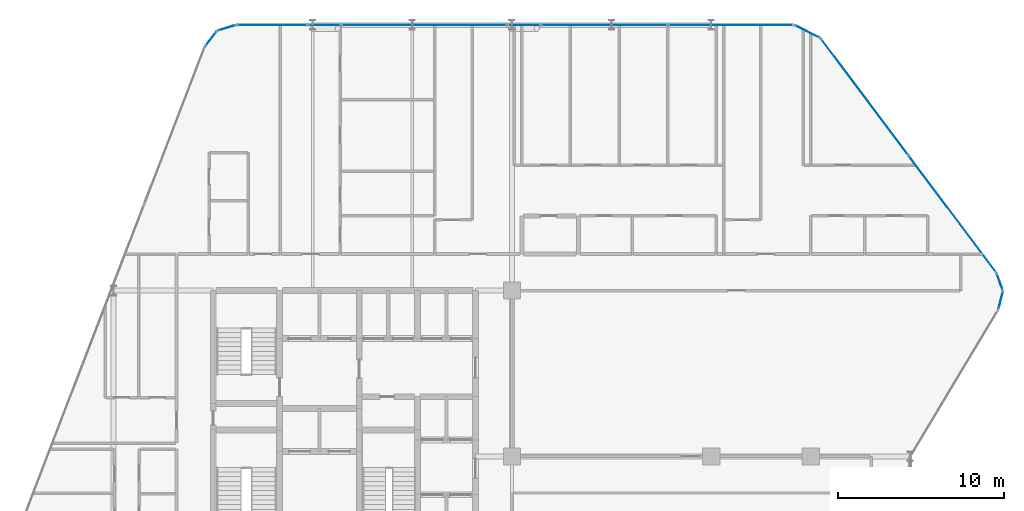
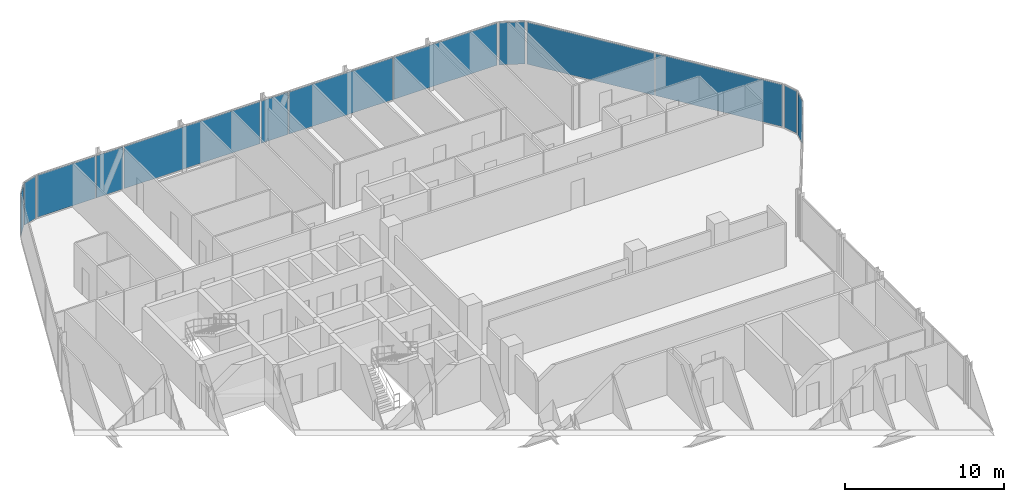
# One storey, part 22 of 30: 13 plates, 11 elements without a shape of their own.
"""IFC4 building model written with IfcOpenShell, lengths in metres."""

import ifcopenshell
import ifcopenshell.guid

model = None  # the IFC model being written
_history = None  # IfcOwnerHistory: only IFC2X3 demands one
_inside = {}  # id of a spatial element -> (the spatial element, [elements in it])
_under = {}  # id of a project, library or spatial element -> (it, [spatial elements below it])
_declared = {}  # id of a project -> (the project, [libraries it declares])
_typed = {}  # id of a type object -> (the type object, [elements of that type])
_made_of = {}  # id of a material, layer set ... -> (it, [elements and type objects made of it])


def new_model(schema):
    """Start an empty IFC model of exactly this schema.

    Asked for "IFC4X3", IfcOpenShell would pick the latest addendum, in which some entities
    have other attributes; the version numbers below select the first issue.
    IFC2X3 requires an IfcOwnerHistory on every rooted entity: one is made here for all.
    """
    global model, _history
    if schema == "IFC4X3":
        model = ifcopenshell.file(schema_version=(4, 3, 0, 0))
    else:
        model = ifcopenshell.file(schema=schema)
    _inside.clear()
    _under.clear()
    _declared.clear()
    _typed.clear()
    _made_of.clear()
    _history = None
    if model.schema == "IFC2X3":
        org = make("IfcOrganization", Name="unknown")
        user = make(
            "IfcPersonAndOrganization",
            ThePerson=make("IfcPerson", FamilyName="unknown"),
            TheOrganization=org,
        )
        app = make(
            "IfcApplication",
            ApplicationDeveloper=org,
            Version="unknown",
            ApplicationFullName="unknown",
            ApplicationIdentifier="unknown",
        )
        _history = make(
            "IfcOwnerHistory",
            OwningUser=user,
            OwningApplication=app,
            ChangeAction="ADDED",
            CreationDate=0,
        )
    return model


def make(cls, **values):
    """One entity of the class cls with the attributes given. An attribute that is None is left unset."""
    return model.create_entity(
        cls, **{name: value for name, value in values.items() if value is not None}
    )


def rooted(cls, **values):
    """An entity with a GlobalId (a new one), such as an element, a storey or a relation."""
    return make(cls, GlobalId=ifcopenshell.guid.new(), OwnerHistory=_history, **values)


def si_unit(unit_type, name, prefix=None):
    """IfcSIUnit, for example si_unit("LENGTHUNIT", "METRE", prefix="MILLI")."""
    return make("IfcSIUnit", UnitType=unit_type, Prefix=prefix, Name=name)


def assignment(units):
    """IfcUnitAssignment: the units of a project."""
    return None if units is None else make("IfcUnitAssignment", Units=units)


def point(xyz):
    """IfcCartesianPoint."""
    return None if xyz is None else make("IfcCartesianPoint", Coordinates=xyz)


def direction(xyz):
    """IfcDirection."""
    return None if xyz is None else make("IfcDirection", DirectionRatios=xyz)


def frame(location, z_axis=None, x_axis=None):
    """IfcAxis2Placement3D, a coordinate frame: its origin and axes. An axis left out is left unset."""
    return make(
        "IfcAxis2Placement3D",
        Location=point(location),
        Axis=direction(z_axis),
        RefDirection=direction(x_axis),
    )


def frame_2d(location, x_axis=None):
    """IfcAxis2Placement2D, a coordinate frame in the plane: its origin and x axis."""
    return make(
        "IfcAxis2Placement2D", Location=point(location), RefDirection=direction(x_axis)
    )


def origin():
    """The frame at (0, 0, 0) with its axes left unset."""
    return frame((0.0, 0.0, 0.0))


def origin_2d():
    """The frame at (0, 0) in the plane with its x axis left unset."""
    return frame_2d((0.0, 0.0))


def place(relative_to, where):
    """IfcLocalPlacement: puts the frame where relative to a parent placement (None: the world)."""
    return make(
        "IfcLocalPlacement", PlacementRelTo=relative_to, RelativePlacement=where
    )


def context(
    kind, dimensions, precision=None, world=None, true_north=None, identifier=None
):
    """IfcGeometricRepresentationContext, for example the 3D "Model" context."""
    return make(
        "IfcGeometricRepresentationContext",
        ContextIdentifier=identifier,
        ContextType=kind,
        CoordinateSpaceDimension=dimensions,
        Precision=precision,
        WorldCoordinateSystem=world,
        TrueNorth=true_north,
    )


def subcontext(parent, identifier, kind, view, scale=None):
    """IfcGeometricRepresentationSubContext, for example "Body" below "Model"."""
    return make(
        "IfcGeometricRepresentationSubContext",
        ContextIdentifier=identifier,
        ContextType=kind,
        ParentContext=parent,
        TargetScale=scale,
        TargetView=view,
    )


def project(units=None, contexts=None):
    """IfcProject with its units and contexts."""
    return rooted(
        "IfcProject",
        Name="project",
        RepresentationContexts=contexts,
        UnitsInContext=assignment(units),
    )


def spatial(cls, under=None, at=None, **own):
    """A site, building, storey or space (cls), placed at a placement, below another one or the project."""
    s = rooted(cls, ObjectPlacement=at, **own)
    if under is not None:
        _under.setdefault(under.id(), (under, []))[1].append(s)
    return s


def profile(cls, at=None, kind="AREA", **sizes):
    """A parametric profile (cls). Its sizes go by their IFC names, for example OverallWidth=200.0."""
    return make(cls, ProfileType=kind, Position=at, **sizes)


def rectangle(**sizes):
    """IfcRectangleProfileDef."""
    return profile("IfcRectangleProfileDef", **sizes)


def extrude(swept, where, along, depth):
    """IfcExtrudedAreaSolid: the profile swept, set in the frame where, extruded along a direction by depth."""
    return make(
        "IfcExtrudedAreaSolid",
        SweptArea=swept,
        Position=where,
        ExtrudedDirection=direction(along),
        Depth=depth,
    )


def shape(context_of_items, identifier, shape_type, items):
    """IfcShapeRepresentation: the items that make up one representation, for example the "Body"."""
    return make(
        "IfcShapeRepresentation",
        ContextOfItems=context_of_items,
        RepresentationIdentifier=identifier,
        RepresentationType=shape_type,
        Items=items,
    )


def material(Name=None, Category=None):
    """IfcMaterial."""
    return make("IfcMaterial", Name=Name, Category=Category)


def layer(
    of_material, thickness, ventilated=None, Name=None, Category=None, Priority=None
):
    """IfcMaterialLayer: one layer of a wall or slab, of a material (None: an air gap)."""
    return make(
        "IfcMaterialLayer",
        Material=of_material,
        LayerThickness=thickness,
        IsVentilated=ventilated,
        Name=Name,
        Category=Category,
        Priority=Priority,
    )


def layer_set(layers, Name=None):
    """IfcMaterialLayerSet."""
    return make("IfcMaterialLayerSet", MaterialLayers=layers, LayerSetName=Name)


def made_of(thing, what):
    """Note that an element or type object is made of a material, layer set ...; save() writes the relation."""
    if what is not None:
        _made_of.setdefault(what.id(), (what, []))[1].append(thing)
    return thing


def type_object(cls, material=None, **own):
    """A type object (cls), such as IfcWallType, which elements share."""
    return made_of(rooted(cls, **own), material)


def element(
    cls,
    number,
    at=None,
    inside=None,
    cuts=None,
    type_object=None,
    material=None,
    context=None,
    identifier="Body",
    shape_type=None,
    held_by="IfcProductDefinitionShape",
    body=None,
    shapes=None,
    **own,
):
    """One element of the class cls, such as IfcWall. Its Tag is "e" and its number.

    at: its placement. inside: the storey or other place that contains it. cuts: it is an
    opening in that element (IfcRelVoidsElement). A single representation is given by context,
    identifier, shape_type and body (its items); several are given by shapes. held_by: the class
    of the entity that holds the representations. save() writes the other relations.
    """
    e = rooted(cls, Tag="e%d" % number, ObjectPlacement=at, **own)
    if body is not None:
        shapes = [shape(context, identifier, shape_type, body)]
    if shapes is not None:
        e.Representation = make(held_by, Representations=shapes)
    if inside is not None:
        _inside.setdefault(inside.id(), (inside, []))[1].append(e)
    if cuts is not None:
        rooted(
            "IfcRelVoidsElement", RelatingBuildingElement=cuts, RelatedOpeningElement=e
        )
    if type_object is not None:
        _typed.setdefault(type_object.id(), (type_object, []))[1].append(e)
    return made_of(e, material)


def aggregate(whole, parts):
    """IfcRelAggregates: a whole, such as a stair, and the parts it consists of."""
    return rooted("IfcRelAggregates", RelatingObject=whole, RelatedObjects=parts)


def save(model, path):
    """Write the relations noted so far, then the file.

    IfcRelAggregates (storeys below a building ...), IfcRelContainedInSpatialStructure (elements
    in a storey), IfcRelDefinesByType, IfcRelAssociatesMaterial and IfcRelDeclares: one each for
    every whole, place, type object, material and project.
    """
    for whole, parts in _under.values():
        aggregate(whole, parts)
    for where, things in _inside.values():
        rooted(
            "IfcRelContainedInSpatialStructure",
            RelatedElements=things,
            RelatingStructure=where,
        )
    for kind, things in _typed.values():
        rooted("IfcRelDefinesByType", RelatedObjects=things, RelatingType=kind)
    for what, things in _made_of.values():
        rooted("IfcRelAssociatesMaterial", RelatedObjects=things, RelatingMaterial=what)
    for by, libraries in _declared.values():
        rooted("IfcRelDeclares", RelatingContext=by, RelatedDefinitions=libraries)
    model.write(path)


model = new_model("IFC4")

# Units and contexts
model_context = context("Model", 3, precision=1e-05, world=origin(), true_north=direction((0.0, 1.0)))
body_context = subcontext(model_context, "Body", "Model", "MODEL_VIEW")
ifc_project = project(units=[si_unit("LENGTHUNIT", "METRE"), si_unit("AREAUNIT", "SQUARE_METRE"), si_unit("VOLUMEUNIT", "CUBIC_METRE"), si_unit("PLANEANGLEUNIT", "RADIAN"), si_unit("MASSUNIT", "GRAM", prefix="KILO")], contexts=[model_context])

# Site, building, storey
site_placement = place(None, origin())
site = spatial("IfcSite", under=ifc_project, at=site_placement, CompositionType="ELEMENT")
building_placement = place(site_placement, origin())
building = spatial("IfcBuilding", under=site, at=building_placement, Name="Keshet Zoharim Tower", CompositionType="ELEMENT")
storey_placement = place(building_placement, frame((0.0, 0.0, 90.89990234375)))
storey = spatial("IfcBuildingStorey", under=building, at=storey_placement, Name="L21", CompositionType="ELEMENT", Elevation=90.89990234375)

# Curtain wall, plate
ifc_material_1 = material(Name="Aluminium 6063-T6", Category="aluminium")
ifc_layer_1 = layer(ifc_material_1, 0.159912109375)
ifc_layer_set_1 = layer_set([ifc_layer_1], Name="Aluminium 6063-T6")
curtain_wall_type = type_object("IfcCurtainWallType", Name="CW-SYS-03", PredefinedType="NOTDEFINED", material=ifc_layer_set_1)
curtain_wall_1_placement = place(storey_placement, origin())
curtain_wall_1 = element("IfcCurtainWall", 1, at=curtain_wall_1_placement, inside=storey, type_object=curtain_wall_type, Name="L21 Unitised Curtain Wall 11", PredefinedType="NOTDEFINED")
ifc_material_2 = material(Name="Insulated Low-E Clear Glass", Category="glass")
ifc_layer_2 = layer(ifc_material_2, 0.035888671875)
ifc_layer_set_2 = layer_set([ifc_layer_2], Name="Insulated Low-E Clear Glass")
plate_type_1 = type_object("IfcPlateType", Name="CWP-01", PredefinedType="CURTAIN_PANEL", material=ifc_layer_set_2)
plate_1_placement = place(storey_placement, frame((14.8740234375, 53.08349609375, 0.070068359375), z_axis=(0.0, 0.0, 1.0), x_axis=(0.619124525989, 0.785292825205, 0.0)))
plate_1 = element("IfcPlate", 2, at=plate_1_placement, type_object=plate_type_1, Name="CW-03 panel 1.1", PredefinedType="CURTAIN_PANEL", context=body_context, shape_type="SweptSolid", body=[
    extrude(rectangle(XDim=1.045654296875, YDim=0.035888671875, at=origin_2d()), origin(), (0.0, 0.0, 1.0), 3.2451171875),
])
aggregate(curtain_wall_1, [plate_1])

curtain_wall_2_placement = place(storey_placement, origin())
curtain_wall_2 = element("IfcCurtainWall", 3, at=curtain_wall_2_placement, inside=storey, type_object=curtain_wall_type, Name="L21 Unitised Curtain Wall 12", PredefinedType="NOTDEFINED")
plate_2_placement = place(storey_placement, frame((15.8076171875, 53.724609375, 0.070068359375), z_axis=(0.0, 0.0, 1.0), x_axis=(0.955212151288, 0.295921857984, 0.0)))
plate_2 = element("IfcPlate", 4, at=plate_2_placement, type_object=plate_type_1, Name="CW-03 panel 1.1", PredefinedType="CURTAIN_PANEL", context=body_context, shape_type="SweptSolid", body=[
    extrude(rectangle(XDim=1.046142578125, YDim=0.035888671875, at=origin_2d()), origin(), (0.0, 0.0, 1.0), 3.2451171875),
])
aggregate(curtain_wall_2, [plate_2])

curtain_wall_3_placement = place(storey_placement, origin())
curtain_wall_3 = element("IfcCurtainWall", 5, at=curtain_wall_3_placement, inside=storey, type_object=curtain_wall_type, Name="L21 Unitised Curtain Wall 13", PredefinedType="NOTDEFINED")
ifc_layer_3 = layer(ifc_material_2, 0.031982421875)
ifc_layer_set_3 = layer_set([ifc_layer_3], Name="Insulated Low-E Clear Glass")
plate_type_2 = type_object("IfcPlateType", Name="CWP-02", PredefinedType="CURTAIN_PANEL", material=ifc_layer_set_3)
plate_3_placement = place(storey_placement, frame((18.5556640625, 53.89990234375, 0.070068359375), z_axis=(0.0, 0.0, 1.0), x_axis=(1.0, 0.0, 0.0)))
plate_3 = element("IfcPlate", 6, at=plate_3_placement, type_object=plate_type_2, Name="CW-03 panel 1.1", PredefinedType="CURTAIN_PANEL", context=body_context, shape_type="SweptSolid", body=[
    extrude(rectangle(XDim=4.223388671875, YDim=0.031982421875, at=origin_2d()), origin(), (0.0, 0.0, 1.0), 3.2451171875),
])
aggregate(curtain_wall_3, [plate_3])

curtain_wall_4_placement = place(storey_placement, origin())
curtain_wall_4 = element("IfcCurtainWall", 7, at=curtain_wall_4_placement, inside=storey, type_object=curtain_wall_type, Name="L21 Unitised Curtain Wall 13 Part 3", PredefinedType="NOTDEFINED")
plate_4_placement = place(storey_placement, frame((27.715087890625, 53.89990234375, 0.070068359375), z_axis=(0.0, 0.0, 1.0), x_axis=(1.0, 0.0, 0.0)))
plate_4 = element("IfcPlate", 8, at=plate_4_placement, type_object=plate_type_2, Name="CW-03 panel 1.1", PredefinedType="CURTAIN_PANEL", context=body_context, shape_type="SweptSolid", body=[
    extrude(rectangle(XDim=9.90478515625, YDim=0.031982421875, at=origin_2d()), origin(), (0.0, 0.0, 1.0), 3.2451171875),
])
aggregate(curtain_wall_4, [plate_4])

# Curtain wall, plates
curtain_wall_5_placement = place(storey_placement, origin())
curtain_wall_5 = element("IfcCurtainWall", 9, at=curtain_wall_5_placement, inside=storey, type_object=curtain_wall_type, Name="L21 Unitised Curtain Wall 13 Part 5", PredefinedType="NOTDEFINED")
plate_5_placement = place(storey_placement, frame((38.554443359375, 53.89990234375, 0.070068359375), z_axis=(0.0, 0.0, 1.0), x_axis=(1.0, 0.0, 0.0)))
plate_5 = element("IfcPlate", 10, at=plate_5_placement, type_object=plate_type_2, Name="CW-03 panel 1.1", PredefinedType="CURTAIN_PANEL", context=body_context, shape_type="SweptSolid", body=[
    extrude(rectangle(XDim=7.583740234375, YDim=0.031982421875, at=origin_2d()), origin(), (0.0, 0.0, 1.0), 3.2451171875),
])
plate_6_placement = place(storey_placement, frame((46.173095703125, 53.89990234375, 0.070068359375), z_axis=(0.0, 0.0, 1.0), x_axis=(1.0, 0.0, 0.0)))
plate_6 = element("IfcPlate", 11, at=plate_6_placement, type_object=plate_type_2, Name="CW-03 panel 2.1", PredefinedType="CURTAIN_PANEL", context=body_context, shape_type="SweptSolid", body=[
    extrude(rectangle(XDim=7.513671875, YDim=0.031982421875, at=origin_2d()), origin(), (0.0, 0.0, 1.0), 3.2451171875),
])
aggregate(curtain_wall_5, [plate_5, plate_6])

# Curtain wall, plate
curtain_wall_6_placement = place(storey_placement, origin())
curtain_wall_6 = element("IfcCurtainWall", 12, at=curtain_wall_6_placement, inside=storey, type_object=curtain_wall_type, Name="L21 Unitised Curtain Wall 14", PredefinedType="NOTDEFINED")
plate_7_placement = place(storey_placement, frame((50.800048828125, 53.5, 0.070068359375), z_axis=(0.0, 0.0, 1.0), x_axis=(0.894427191001, -0.447213595499, 0.0)))
plate_7 = element("IfcPlate", 13, at=plate_7_placement, type_object=plate_type_2, Name="CW-03 panel 1.1", PredefinedType="CURTAIN_PANEL", context=body_context, shape_type="SweptSolid", body=[
    extrude(rectangle(XDim=1.64892578125, YDim=0.031982421875, at=origin_2d()), origin(), (0.0, 0.0, 1.0), 3.2451171875),
])
aggregate(curtain_wall_6, [plate_7])

# Curtain wall, plates
curtain_wall_7_placement = place(storey_placement, origin())
curtain_wall_7 = element("IfcCurtainWall", 14, at=curtain_wall_7_placement, inside=storey, type_object=curtain_wall_type, Name="L21 Unitised Curtain Wall 15", PredefinedType="NOTDEFINED")
plate_8_placement = place(storey_placement, frame((54.2587890625, 49.554931640625, 0.070068359375), z_axis=(0.0, 0.0, 1.0), x_axis=(0.600000000002, -0.799999999998, 0.0)))
plate_8 = element("IfcPlate", 15, at=plate_8_placement, type_object=plate_type_2, Name="CW-03 panel 1.1", PredefinedType="CURTAIN_PANEL", context=body_context, shape_type="SweptSolid", body=[
    extrude(rectangle(XDim=8.722412109375, YDim=0.031982421875, at=origin_2d()), origin(), (0.0, 0.0, 1.0), 3.2451171875),
])
plate_9_placement = place(storey_placement, frame((59.5341796875, 42.52099609375, 0.070068359375), z_axis=(0.0, 0.0, 1.0), x_axis=(0.600000000002, -0.799999999998, 0.0)))
plate_9 = element("IfcPlate", 16, at=plate_9_placement, type_object=plate_type_2, Name="CW-03 panel 2.1", PredefinedType="CURTAIN_PANEL", context=body_context, shape_type="SweptSolid", body=[
    extrude(rectangle(XDim=8.722412109375, YDim=0.031982421875, at=origin_2d()), origin(), (0.0, 0.0, 1.0), 3.2451171875),
])
aggregate(curtain_wall_7, [plate_8, plate_9])

# Curtain wall, plate
curtain_wall_8_placement = place(storey_placement, origin())
curtain_wall_8 = element("IfcCurtainWall", 17, at=curtain_wall_8_placement, inside=storey, type_object=curtain_wall_type, Name="L21 Unitised Curtain Wall 16", PredefinedType="NOTDEFINED")
plate_10_placement = place(storey_placement, frame((62.3916015625, 38.427490234375, 0.070068359375), z_axis=(0.0, 0.0, 1.0), x_axis=(0.340297354046, -0.940317877544, 0.0)))
plate_10 = element("IfcPlate", 18, at=plate_10_placement, type_object=plate_type_2, Name="CW-03 panel 1.1", PredefinedType="CURTAIN_PANEL", context=body_context, shape_type="SweptSolid", body=[
    extrude(rectangle(XDim=1.026611328125, YDim=0.031982421875, at=origin_2d()), origin(), (0.0, 0.0, 1.0), 3.2451171875),
])
aggregate(curtain_wall_8, [plate_10])

curtain_wall_9_placement = place(storey_placement, origin())
curtain_wall_9 = element("IfcCurtainWall", 19, at=curtain_wall_9_placement, inside=storey, type_object=curtain_wall_type, Name="L21 Unitised Curtain Wall 17", PredefinedType="NOTDEFINED")
plate_11_placement = place(storey_placement, frame((62.448974609375, 37.31298828125, 0.070068359375), z_axis=(0.0, 0.0, 1.0), x_axis=(-0.241728770141, -0.970343857447, 0.0)))
plate_11 = element("IfcPlate", 20, at=plate_11_placement, type_object=plate_type_2, Name="CW-03 panel 1.1", PredefinedType="CURTAIN_PANEL", context=body_context, shape_type="SweptSolid", body=[
    extrude(rectangle(XDim=1.026611328125, YDim=0.031982421875, at=origin_2d()), origin(), (0.0, 0.0, 1.0), 3.2451171875),
])
aggregate(curtain_wall_9, [plate_11])

curtain_wall_10_placement = place(storey_placement, origin())
curtain_wall_10 = element("IfcCurtainWall", 21, at=curtain_wall_10_placement, inside=storey, type_object=curtain_wall_type, Name="L21 Unitised Curtain Wall 13 Part 2", PredefinedType="NOTDEFINED")
ifc_material_3 = material(Name="Insulated Aluminium Spandrel Panel", Category="aluminium")
ifc_layer_4 = layer(ifc_material_3, 0.031982421875)
ifc_layer_set_4 = layer_set([ifc_layer_4], Name="Insulated Aluminium Spandrel Panel")
plate_type_3 = type_object("IfcPlateType", Name="CWP-05", PredefinedType="CURTAIN_PANEL", material=ifc_layer_set_4)
plate_12_placement = place(storey_placement, frame((21.715087890625, 53.89990234375, 0.070068359375), z_axis=(0.0, 0.0, 1.0), x_axis=(1.0, 0.0, 0.0)))
plate_12 = element("IfcPlate", 22, at=plate_12_placement, type_object=plate_type_3, Name="CW-03 spandrel panel 1.1", PredefinedType="CURTAIN_PANEL", context=body_context, shape_type="SweptSolid", body=[
    extrude(rectangle(XDim=1.955078125, YDim=0.031982421875, at=origin_2d()), origin(), (0.0, 0.0, 1.0), 3.2451171875),
])
aggregate(curtain_wall_10, [plate_12])

curtain_wall_11_placement = place(storey_placement, origin())
curtain_wall_11 = element("IfcCurtainWall", 23, at=curtain_wall_11_placement, inside=storey, type_object=curtain_wall_type, Name="L21 Unitised Curtain Wall 13 Part 4", PredefinedType="NOTDEFINED")
plate_13_placement = place(storey_placement, frame((33.715087890625, 53.89990234375, 0.070068359375), z_axis=(0.0, 0.0, 1.0), x_axis=(1.0, 0.0, 0.0)))
plate_13 = element("IfcPlate", 24, at=plate_13_placement, type_object=plate_type_3, Name="CW-03 spandrel panel 1.1", PredefinedType="CURTAIN_PANEL", context=body_context, shape_type="SweptSolid", body=[
    extrude(rectangle(XDim=1.955078125, YDim=0.031982421875, at=origin_2d()), origin(), (0.0, 0.0, 1.0), 3.2451171875),
])
aggregate(curtain_wall_11, [plate_13])

save(model, "model.ifc")
